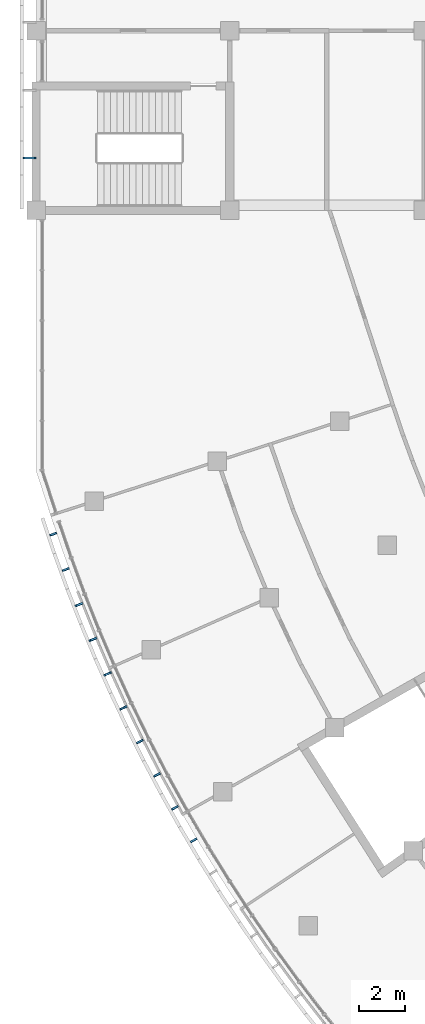
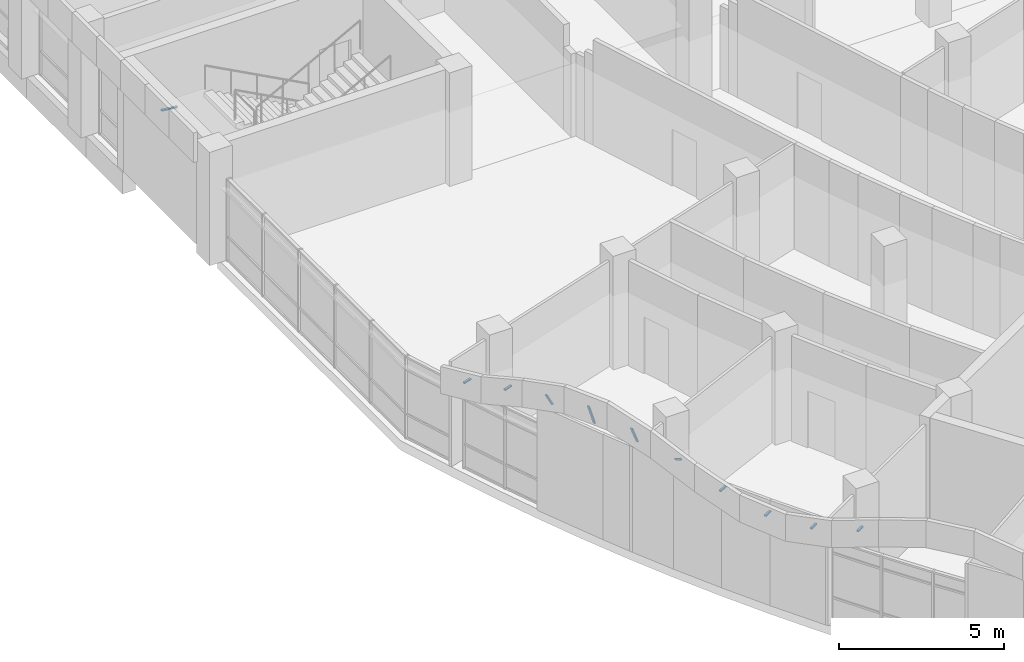
# One storey, part 96 of 137: 11 discrete accessories.
"""IFC4 building model written with IfcOpenShell, lengths in metres."""

from ifc_helpers import new_model, si_unit, direction, frame, origin, origin_2d, place, context, subcontext, project, spatial, rectangle, extrude, material, material_profile, profile_set, type_object, element, save


model = new_model("IFC4")

# Units and contexts
model_context = context("Model", 3, precision=1e-05, world=origin(), true_north=direction((0.0, 1.0)))
body_context = subcontext(model_context, "Body", "Model", "MODEL_VIEW")
ifc_project = project(units=[si_unit("LENGTHUNIT", "METRE"), si_unit("AREAUNIT", "SQUARE_METRE"), si_unit("VOLUMEUNIT", "CUBIC_METRE"), si_unit("PLANEANGLEUNIT", "RADIAN"), si_unit("MASSUNIT", "GRAM", prefix="KILO")], contexts=[model_context])

# Site, building, storey
site_placement = place(None, origin())
site = spatial("IfcSite", under=ifc_project, at=site_placement, CompositionType="ELEMENT")
building_placement = place(site_placement, origin())
building = spatial("IfcBuilding", under=site, at=building_placement, Name="Bougainvillea Quay General Hospital", CompositionType="ELEMENT")
storey_placement = place(building_placement, frame((0.0, 0.0, 16.800048828125)))
storey = spatial("IfcBuildingStorey", under=building, at=storey_placement, Name="L03", CompositionType="ELEMENT", Elevation=16.800048828125)

# Discrete accessories
ifc_material = material(Name="Stainless steel bracket, grade 316", Category="steel")
ifc_material_profile = material_profile(ifc_material, rectangle(XDim=0.080078125, YDim=0.050048828125, at=origin_2d()))
ifc_profile_set = profile_set([ifc_material_profile], Name="Stainless steel bracket, grade 316")
discrete_accessory_type = type_object("IfcDiscreteAccessoryType", Name="Stainless steel stand-off bracket 80x50", PredefinedType="BRACKET", material=ifc_profile_set)
for number, where, z_axis, x_axis, name in (
    (1, (42.8857421875, 103.60009765625, 3.62158203125), (-0.947455279427, -0.319888251559, 0.0), (0.319888251559, -0.947455279427, 0.0), "Fascia bracket a01 1"),
    (2, (43.4228515625, 102.068603515625, 4.111328125), (-0.939793423488, -0.341743063087, 0.0), (0.341743063087, -0.939793423488, 0.0), "Fascia bracket a01 2"),
):
    element("IfcDiscreteAccessory", number, at=place(storey_placement, frame(where, z_axis=z_axis, x_axis=x_axis)), inside=storey, type_object=discrete_accessory_type, Name=name, PredefinedType="BRACKET", context=body_context, shape_type="SweptSolid", body=[
        extrude(rectangle(XDim=0.080078125, YDim=0.050048828125, at=origin_2d()), origin(), (0.0, 0.0, 1.0), 0.300048828125),
    ])
discrete_accessory_1_placement = place(storey_placement, frame((43.995361328125, 100.5498046875, 4.139892578125), z_axis=(-0.470775475086, -0.18353659256, 0.862951198649), x_axis=(0.363232169479, -0.931698658932, 0.0)))
element("IfcDiscreteAccessory", 3, at=discrete_accessory_1_placement, inside=storey, type_object=discrete_accessory_type, Name="Fascia bracket a01 3", PredefinedType="BRACKET", context=body_context, shape_type="SweptSolid", body=[
    extrude(rectangle(XDim=0.080078125, YDim=0.050048828125, at=origin_2d()), origin(), (0.0, 0.0, 1.0), 0.59326171875),
])
discrete_accessory_2_placement = place(storey_placement, frame((44.60302734375, 99.044921875, 4.139892578125), z_axis=(-0.326377426358, -0.136134499706, 0.935385040266), x_axis=(0.384962096424, -0.922932383394, 0.0)))
element("IfcDiscreteAccessory", 4, at=discrete_accessory_2_placement, inside=storey, type_object=discrete_accessory_type, Name="Fascia bracket a01 4", PredefinedType="BRACKET", context=body_context, shape_type="SweptSolid", body=[
    extrude(rectangle(XDim=0.080078125, YDim=0.050048828125, at=origin_2d()), origin(), (0.0, 0.0, 1.0), 0.848388671875),
])
discrete_accessory_3_placement = place(storey_placement, frame((45.245361328125, 97.554443359375, 4.139892578125), z_axis=(-0.380896215085, -0.169249520327, 0.908995419792), x_axis=(0.406062961772, -0.913845102344, 0.0)))
element("IfcDiscreteAccessory", 5, at=discrete_accessory_3_placement, inside=storey, type_object=discrete_accessory_type, Name="Fascia bracket a01 5", PredefinedType="BRACKET", context=body_context, shape_type="SweptSolid", body=[
    extrude(rectangle(XDim=0.080078125, YDim=0.050048828125, at=origin_2d()), origin(), (0.0, 0.0, 1.0), 0.7197265625),
])
discrete_accessory_4_placement = place(storey_placement, frame((45.922119140625, 96.079345703125, 4.139892578125), z_axis=(-0.781819573311, -0.370150401046, 0.501743794573), x_axis=(0.427911485157, -0.903820646406, 0.0)))
element("IfcDiscreteAccessory", 6, at=discrete_accessory_4_placement, inside=storey, type_object=discrete_accessory_type, Name="Fascia bracket a01 6", PredefinedType="BRACKET", context=body_context, shape_type="SweptSolid", body=[
    extrude(rectangle(XDim=0.080078125, YDim=0.050048828125, at=origin_2d()), origin(), (0.0, 0.0, 1.0), 0.346923828125),
])
for number, where, z_axis, x_axis, name in (
    (7, (46.6328125, 94.6201171875, 3.7685546875), (-0.893775040547, -0.448515525812, 0.0), (0.448515525812, -0.893775040547, 0.0), "Fascia bracket a01 7"),
    (8, (47.377197265625, 93.177978515625, 3.470458984375), (-0.883252701422, -0.468897286653, 0.0), (0.468897286653, -0.883252701422, 0.0), "Fascia bracket a01 8"),
):
    element("IfcDiscreteAccessory", number, at=place(storey_placement, frame(where, z_axis=z_axis, x_axis=x_axis)), inside=storey, type_object=discrete_accessory_type, Name=name, PredefinedType="BRACKET", context=body_context, shape_type="SweptSolid", body=[
        extrude(rectangle(XDim=0.080078125, YDim=0.050048828125, at=origin_2d()), origin(), (0.0, 0.0, 1.0), 0.2998046875),
    ])
discrete_accessory_5_placement = place(storey_placement, frame((48.15478515625, 91.75341796875, 3.5908203125), z_axis=(-0.871727655673, -0.489990708417, 0.0), x_axis=(0.489990708417, -0.871727655673, 0.0)))
element("IfcDiscreteAccessory", 9, at=discrete_accessory_5_placement, inside=storey, type_object=discrete_accessory_type, Name="Fascia bracket a01 9", PredefinedType="BRACKET", context=body_context, shape_type="SweptSolid", body=[
    extrude(rectangle(XDim=0.080078125, YDim=0.050048828125, at=origin_2d()), origin(), (0.0, 0.0, 1.0), 0.300048828125),
])
discrete_accessory_6_placement = place(storey_placement, frame((48.96533203125, 90.34716796875, 4.060546875), z_axis=(-0.860423732002, -0.509579239577, 0.0), x_axis=(0.509579239577, -0.860423732002, 0.0)))
element("IfcDiscreteAccessory", 10, at=discrete_accessory_6_placement, inside=storey, type_object=discrete_accessory_type, Name="Fascia bracket a01 10", PredefinedType="BRACKET", context=body_context, shape_type="SweptSolid", body=[
    extrude(rectangle(XDim=0.080078125, YDim=0.050048828125, at=origin_2d()), origin(), (0.0, 0.0, 1.0), 0.2998046875),
])
discrete_accessory_7_placement = place(storey_placement, frame((42.0, 119.868408203125, 4.139892578125), z_axis=(-0.994091793559, 0.0, 0.108542645901), x_axis=(0.0, -1.0, 0.0)))
element("IfcDiscreteAccessory", 11, at=discrete_accessory_7_placement, inside=storey, type_object=discrete_accessory_type, Name="Fascia bracket e0 45", PredefinedType="BRACKET", context=body_context, shape_type="SweptSolid", body=[
    extrude(rectangle(XDim=0.080078125, YDim=0.050048828125, at=origin_2d()), origin(), (0.0, 0.0, 1.0), 0.55322265625),
])

save(model, "model.ifc")
